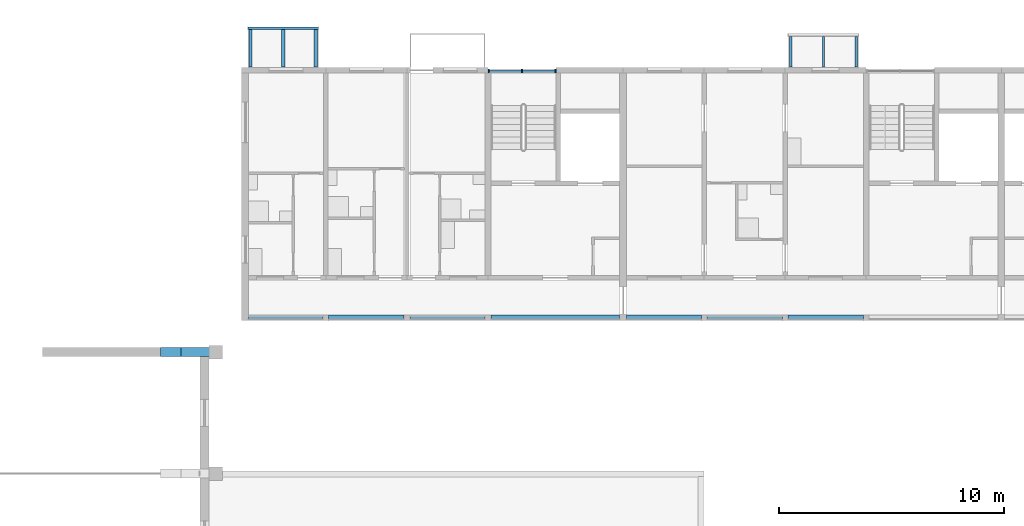
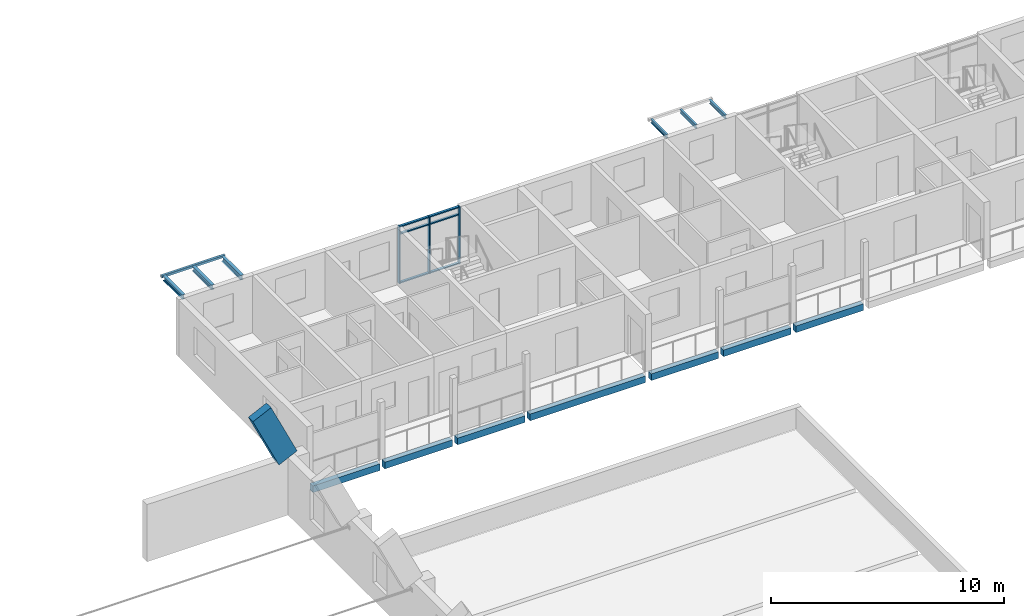
# One storey, part 25 of 115: 15 beams, 9 members, 1 element without a shape of its own.
"""IFC4 building model written with IfcOpenShell, lengths in metres."""

from ifc_helpers import new_model, si_unit, direction, frame, origin, origin_2d, place, context, subcontext, project, spatial, rectangle, hollow_rectangle, i_section, extrude, material, material_profile, profile_set, type_object, element, aggregate, save


model = new_model("IFC4")

# Units and contexts
model_context = context("Model", 3, precision=1e-05, world=origin(), true_north=direction((0.0, 1.0)))
body_context = subcontext(model_context, "Body", "Model", "MODEL_VIEW")
ifc_project = project(units=[si_unit("LENGTHUNIT", "METRE"), si_unit("AREAUNIT", "SQUARE_METRE"), si_unit("VOLUMEUNIT", "CUBIC_METRE"), si_unit("PLANEANGLEUNIT", "RADIAN"), si_unit("MASSUNIT", "GRAM", prefix="KILO")], contexts=[model_context])

# Site, building, storey
site_placement = place(None, origin())
site = spatial("IfcSite", under=ifc_project, at=site_placement, CompositionType="ELEMENT")
building_placement = place(site_placement, origin())
building = spatial("IfcBuilding", under=site, at=building_placement, Name="Ridgestep Commons", CompositionType="ELEMENT")
storey_placement = place(building_placement, frame((0.0, 0.0, 6.0)))
storey = spatial("IfcBuildingStorey", under=building, at=storey_placement, Name="L02", CompositionType="ELEMENT", Elevation=6.0)

# Beams
ifc_material_1 = material(Name="Precast concrete C50/60", Category="concrete")
ifc_material_profile_1 = material_profile(ifc_material_1, rectangle(XDim=0.39990234375, YDim=1.0, at=origin_2d()), Name="Hall vault rib 400 x 1000")
ifc_profile_set_1 = profile_set([ifc_material_profile_1], Name="Precast concrete C50/60")
beam_type_1 = type_object("IfcBeamType", Name="Hall vault rib 400 x 1000", PredefinedType="BEAM", material=ifc_profile_set_1)
beam_1_placement = place(storey_placement, frame((143.5068359375, 64.60009765625, 5.72021484375), z_axis=(0.429357705231, 0.0, -0.903134519858), x_axis=(0.0, 1.0, 0.0)))
element("IfcBeam", 1, at=beam_1_placement, inside=storey, type_object=beam_type_1, Name="Hall vault rib R7", PredefinedType="BEAM", context=body_context, shape_type="SweptSolid", body=[
    extrude(rectangle(XDim=0.39990234375, YDim=1.0, at=origin_2d()), origin(), (0.0, 0.0, 1.0), 3.011962890625),
])
ifc_material_2 = material(Name="Precast concrete C40/50", Category="concrete")
ifc_material_profile_2 = material_profile(ifc_material_2, rectangle(XDim=0.25, YDim=0.35009765625, at=origin_2d()), Name="PC 250x350")
ifc_profile_set_2 = profile_set([ifc_material_profile_2], Name="Precast concrete C40/50")
beam_type_2 = type_object("IfcBeamType", Name="Loggia edge beam 250 x 350", PredefinedType="SPANDREL", material=ifc_profile_set_2)
beam_2_placement = place(storey_placement, frame((146.949951171875, 66.125, -0.375), z_axis=(1.0, 0.0, 0.0), x_axis=(0.0, 1.0, 0.0)))
element("IfcBeam", 2, at=beam_2_placement, inside=storey, type_object=beam_type_2, Name="Loggia edge beam C1T1 L02", PredefinedType="SPANDREL", context=body_context, shape_type="SweptSolid", body=[
    extrude(rectangle(XDim=0.25, YDim=0.35009765625, at=origin_2d()), origin(), (0.0, 0.0, 1.0), 3.324951171875),
])
for number, where, z_axis, x_axis, name in (
    (3, (150.52490234375, 66.125, -0.375), (1.0, 0.0, 0.0), (0.0, 1.0, 0.0), "Loggia edge beam C1T2 L02"),
    (4, (154.125, 66.125, -0.375), (1.0, 0.0, 0.0), (0.0, 1.0, 0.0), "Loggia edge beam C1T3 L02"),
):
    element("IfcBeam", number, at=place(storey_placement, frame(where, z_axis=z_axis, x_axis=x_axis)), inside=storey, type_object=beam_type_2, Name=name, PredefinedType="SPANDREL", context=body_context, shape_type="SweptSolid", body=[
        extrude(rectangle(XDim=0.25, YDim=0.35009765625, at=origin_2d()), origin(), (0.0, 0.0, 1.0), 3.35009765625),
    ])
beam_3_placement = place(storey_placement, frame((157.72509765625, 66.125, -0.375), z_axis=(1.0, 0.0, 0.0), x_axis=(0.0, 1.0, 0.0)))
element("IfcBeam", 5, at=beam_3_placement, inside=storey, type_object=beam_type_2, Name="Loggia edge beam C1C L02", PredefinedType="SPANDREL", context=body_context, shape_type="SweptSolid", body=[
    extrude(rectangle(XDim=0.25, YDim=0.35009765625, at=origin_2d()), origin(), (0.0, 0.0, 1.0), 5.724853515625),
])
beam_4_placement = place(storey_placement, frame((163.75, 66.125, -0.375), z_axis=(1.0, 0.0, 0.0), x_axis=(0.0, 1.0, 0.0)))
element("IfcBeam", 6, at=beam_4_placement, inside=storey, type_object=beam_type_2, Name="Loggia edge beam C2T1 L02", PredefinedType="SPANDREL", context=body_context, shape_type="SweptSolid", body=[
    extrude(rectangle(XDim=0.25, YDim=0.35009765625, at=origin_2d()), origin(), (0.0, 0.0, 1.0), 3.324951171875),
])
beam_5_placement = place(storey_placement, frame((167.324951171875, 66.125, -0.375), z_axis=(1.0, 0.0, 0.0), x_axis=(0.0, 1.0, 0.0)))
element("IfcBeam", 7, at=beam_5_placement, inside=storey, type_object=beam_type_2, Name="Loggia edge beam C2T2 L02", PredefinedType="SPANDREL", context=body_context, shape_type="SweptSolid", body=[
    extrude(rectangle(XDim=0.25, YDim=0.35009765625, at=origin_2d()), origin(), (0.0, 0.0, 1.0), 3.35009765625),
])
beam_6_placement = place(storey_placement, frame((170.925048828125, 66.125, -0.375), z_axis=(1.0, 0.0, 0.0), x_axis=(0.0, 1.0, 0.0)))
element("IfcBeam", 8, at=beam_6_placement, inside=storey, type_object=beam_type_2, Name="Loggia edge beam C2T3 L02", PredefinedType="SPANDREL", context=body_context, shape_type="SweptSolid", body=[
    extrude(rectangle(XDim=0.25, YDim=0.35009765625, at=origin_2d()), origin(), (0.0, 0.0, 1.0), 3.349853515625),
])

# Curtain wall, members
ifc_material_3 = material(Name="Aluminium 6063-T6 and glass", Category="aluminium")
curtain_wall_type = type_object("IfcCurtainWallType", Name="Curtain wall stair strip", PredefinedType="NOTDEFINED", material=ifc_material_3)
curtain_wall_placement = place(storey_placement, origin())
curtain_wall = element("IfcCurtainWall", 9, at=curtain_wall_placement, inside=storey, type_object=curtain_wall_type, Name="Curtain wall C1C level 02", PredefinedType="NOTDEFINED")
ifc_material_4 = material(Name="Aluminium 6063-T6", Category="aluminium")
ifc_material_profile_3 = material_profile(ifc_material_4, rectangle(XDim=0.159912109375, YDim=0.06005859375, at=origin_2d()), Name="Mullion 60 x 160")
ifc_profile_set_3 = profile_set([ifc_material_profile_3], Name="Aluminium 6063-T6")
member_type_1 = type_object("IfcMemberType", Name="Mullion 60 x 160", PredefinedType="MULLION", material=ifc_profile_set_3)
member_1_placement = place(storey_placement, frame((157.6298828125, 77.080078125, 0.0), z_axis=(0.0, 0.0, 1.0), x_axis=(0.0, 1.0, 0.0)))
member_1 = element("IfcMember", 10, at=member_1_placement, type_object=member_type_1, Name="CW1 mullion 1", PredefinedType="MULLION", context=body_context, shape_type="SweptSolid", body=[
    extrude(rectangle(XDim=0.159912109375, YDim=0.06005859375, at=origin_2d()), origin(), (0.0, 0.0, 1.0), 3.0),
])
member_2_placement = place(storey_placement, frame((159.112548828125, 77.080078125, 0.0), z_axis=(0.0, 0.0, 1.0), x_axis=(0.0, 1.0, 0.0)))
member_2 = element("IfcMember", 11, at=member_2_placement, type_object=member_type_1, Name="CW1 mullion 2", PredefinedType="MULLION", context=body_context, shape_type="SweptSolid", body=[
    extrude(rectangle(XDim=0.159912109375, YDim=0.06005859375, at=origin_2d()), origin(), (0.0, 0.0, 1.0), 3.0),
])
member_3_placement = place(storey_placement, frame((160.594970703125, 77.080078125, 0.0), z_axis=(0.0, 0.0, 1.0), x_axis=(0.0, 1.0, 0.0)))
member_3 = element("IfcMember", 12, at=member_3_placement, type_object=member_type_1, Name="CW1 mullion 3", PredefinedType="MULLION", context=body_context, shape_type="SweptSolid", body=[
    extrude(rectangle(XDim=0.159912109375, YDim=0.06005859375, at=origin_2d()), origin(), (0.0, 0.0, 1.0), 3.0),
])
ifc_material_5 = material(Name="Aluminium 6063-T6", Category="aluminium")
ifc_material_profile_4 = material_profile(ifc_material_5, rectangle(XDim=0.1201171875, YDim=0.06005859375, at=origin_2d()), Name="Transom 60 x 120")
ifc_profile_set_4 = profile_set([ifc_material_profile_4], Name="Aluminium 6063-T6")
member_type_2 = type_object("IfcMemberType", Name="Transom 60 x 120", PredefinedType="USERDEFINED", material=ifc_profile_set_4)
member_4_placement = place(storey_placement, frame((157.659912109375, 77.080078125, 0.030029296875), z_axis=(1.0, 0.0, 0.0), x_axis=(0.0, 1.0, 0.0)))
member_4 = element("IfcMember", 13, at=member_4_placement, type_object=member_type_2, Name="CW1 transom 1.1", ObjectType="TRANSOM", PredefinedType="USERDEFINED", context=body_context, shape_type="SweptSolid", body=[
    extrude(rectangle(XDim=0.1201171875, YDim=0.06005859375, at=origin_2d()), origin(), (0.0, 0.0, 1.0), 1.422607421875),
])
member_5_placement = place(storey_placement, frame((157.659912109375, 77.080078125, 2.590087890625), z_axis=(1.0, 0.0, 0.0), x_axis=(0.0, 1.0, 0.0)))
member_5 = element("IfcMember", 14, at=member_5_placement, type_object=member_type_2, Name="CW1 transom 1.2", ObjectType="TRANSOM", PredefinedType="USERDEFINED", context=body_context, shape_type="SweptSolid", body=[
    extrude(rectangle(XDim=0.1201171875, YDim=0.06005859375, at=origin_2d()), origin(), (0.0, 0.0, 1.0), 1.422607421875),
])
member_6_placement = place(storey_placement, frame((157.659912109375, 77.080078125, 2.969970703125), z_axis=(1.0, 0.0, 0.0), x_axis=(0.0, 1.0, 0.0)))
member_6 = element("IfcMember", 15, at=member_6_placement, type_object=member_type_2, Name="CW1 transom 1.3", ObjectType="TRANSOM", PredefinedType="USERDEFINED", context=body_context, shape_type="SweptSolid", body=[
    extrude(rectangle(XDim=0.1201171875, YDim=0.06005859375, at=origin_2d()), origin(), (0.0, 0.0, 1.0), 1.422607421875),
])
member_7_placement = place(storey_placement, frame((159.142578125, 77.080078125, 0.030029296875), z_axis=(1.0, 0.0, 0.0), x_axis=(0.0, 1.0, 0.0)))
member_7 = element("IfcMember", 16, at=member_7_placement, type_object=member_type_2, Name="CW1 transom 2.1", ObjectType="TRANSOM", PredefinedType="USERDEFINED", context=body_context, shape_type="SweptSolid", body=[
    extrude(rectangle(XDim=0.1201171875, YDim=0.06005859375, at=origin_2d()), origin(), (0.0, 0.0, 1.0), 1.42236328125),
])
member_8_placement = place(storey_placement, frame((159.142578125, 77.080078125, 2.590087890625), z_axis=(1.0, 0.0, 0.0), x_axis=(0.0, 1.0, 0.0)))
member_8 = element("IfcMember", 17, at=member_8_placement, type_object=member_type_2, Name="CW1 transom 2.2", ObjectType="TRANSOM", PredefinedType="USERDEFINED", context=body_context, shape_type="SweptSolid", body=[
    extrude(rectangle(XDim=0.1201171875, YDim=0.06005859375, at=origin_2d()), origin(), (0.0, 0.0, 1.0), 1.42236328125),
])
member_9_placement = place(storey_placement, frame((159.142578125, 77.080078125, 2.969970703125), z_axis=(1.0, 0.0, 0.0), x_axis=(0.0, 1.0, 0.0)))
member_9 = element("IfcMember", 18, at=member_9_placement, type_object=member_type_2, Name="CW1 transom 2.3", ObjectType="TRANSOM", PredefinedType="USERDEFINED", context=body_context, shape_type="SweptSolid", body=[
    extrude(rectangle(XDim=0.1201171875, YDim=0.06005859375, at=origin_2d()), origin(), (0.0, 0.0, 1.0), 1.42236328125),
])
aggregate(curtain_wall, [member_1, member_2, member_3, member_4, member_5, member_6, member_7, member_8, member_9])

# Beams
ifc_material_6 = material(Name="Weathering steel S355J2W", Category="steel")
ifc_material_profile_5 = material_profile(ifc_material_6, i_section(OverallWidth=0.101806640625, OverallDepth=0.203125, WebThickness=0.00537109375, FlangeThickness=0.00927734375, FilletRadius=0.007568359375, at=origin_2d()), Name="UB 203x102x23")
ifc_profile_set_5 = profile_set([ifc_material_profile_5], Name="Weathering steel S355J2W")
beam_type_3 = type_object("IfcBeamType", Name="Tray arm UB 203x102x23", PredefinedType="BEAM", material=ifc_profile_set_5)
for number, where, z_axis, x_axis, name in (
    (19, (171.050048828125, 77.264892578125, 2.888427734375), (0.0, 1.0, 0.0), (-1.0, 0.0, 0.0), "Tray arm C2T3-03.1"),
    (20, (172.5, 77.264892578125, 2.888427734375), (0.0, 1.0, 0.0), (-1.0, 0.0, 0.0), "Tray arm C2T3-03.2"),
    (21, (173.949951171875, 77.264892578125, 2.888427734375), (0.0, 1.0, 0.0), (-1.0, 0.0, 0.0), "Tray arm C2T3-03.3"),
):
    element("IfcBeam", number, at=place(storey_placement, frame(where, z_axis=z_axis, x_axis=x_axis)), inside=storey, type_object=beam_type_3, Name=name, PredefinedType="BEAM", context=body_context, shape_type="SweptSolid", body=[
        extrude(i_section(OverallWidth=0.101806640625, OverallDepth=0.203125, WebThickness=0.00537109375, FlangeThickness=0.00927734375, FilletRadius=0.007568359375, at=origin_2d()), origin(), (0.0, 0.0, 1.0), 1.364990234375),
    ])
ifc_material_7 = material(Name="Weathering steel S355J2W", Category="steel")
ifc_material_profile_6 = material_profile(ifc_material_7, i_section(OverallWidth=0.14599609375, OverallDepth=0.25146484375, WebThickness=0.006103515625, FlangeThickness=0.008544921875, FilletRadius=0.007568359375, at=origin_2d()), Name="UB 254x146x31")
ifc_profile_set_6 = profile_set([ifc_material_profile_6], Name="Weathering steel S355J2W")
beam_type_4 = type_object("IfcBeamType", Name="Tray arm UB 254x146x31", PredefinedType="BEAM", material=ifc_profile_set_6)
for number, where, z_axis, x_axis, name in (
    (22, (147.050048828125, 77.264892578125, 2.8642578125), (0.0, 1.0, 0.0), (-1.0, 0.0, 0.0), "Tray arm C1T1-03.1"),
    (23, (148.5, 77.264892578125, 2.8642578125), (0.0, 1.0, 0.0), (-1.0, 0.0, 0.0), "Tray arm C1T1-03.2"),
    (24, (149.949951171875, 77.264892578125, 2.8642578125), (0.0, 1.0, 0.0), (-1.0, 0.0, 0.0), "Tray arm C1T1-03.3"),
):
    element("IfcBeam", number, at=place(storey_placement, frame(where, z_axis=z_axis, x_axis=x_axis)), inside=storey, type_object=beam_type_4, Name=name, PredefinedType="BEAM", context=body_context, shape_type="SweptSolid", body=[
        extrude(i_section(OverallWidth=0.14599609375, OverallDepth=0.25146484375, WebThickness=0.006103515625, FlangeThickness=0.008544921875, FilletRadius=0.007568359375, at=origin_2d()), origin(), (0.0, 0.0, 1.0), 1.6650390625),
    ])
ifc_material_8 = material(Name="Weathering steel S355J2W", Category="steel")
ifc_material_profile_7 = material_profile(ifc_material_8, hollow_rectangle(XDim=0.1201171875, YDim=0.1201171875, WallThickness=0.00634765625, InnerFilletRadius=0.00634765625, OuterFilletRadius=0.009521484375, at=origin_2d()), Name="SHS 120x120x6.3")
ifc_profile_set_7 = profile_set([ifc_material_profile_7], Name="Weathering steel S355J2W")
beam_type_5 = type_object("IfcBeamType", Name="Tray edge member SHS 120x120x6.3", PredefinedType="BEAM", material=ifc_profile_set_7)
beam_7_placement = place(storey_placement, frame((146.929931640625, 78.989990234375, 2.929931640625), z_axis=(1.0, 0.0, 0.0), x_axis=(0.0, 0.0, 1.0)))
element("IfcBeam", 25, at=beam_7_placement, inside=storey, type_object=beam_type_5, Name="Tray edge member C1T1-03", PredefinedType="BEAM", context=body_context, shape_type="SweptSolid", body=[
    extrude(hollow_rectangle(XDim=0.1201171875, YDim=0.1201171875, WallThickness=0.00634765625, InnerFilletRadius=0.00634765625, OuterFilletRadius=0.009521484375, at=origin_2d()), origin(), (0.0, 0.0, 1.0), 3.14013671875),
])

save(model, "model.ifc")
